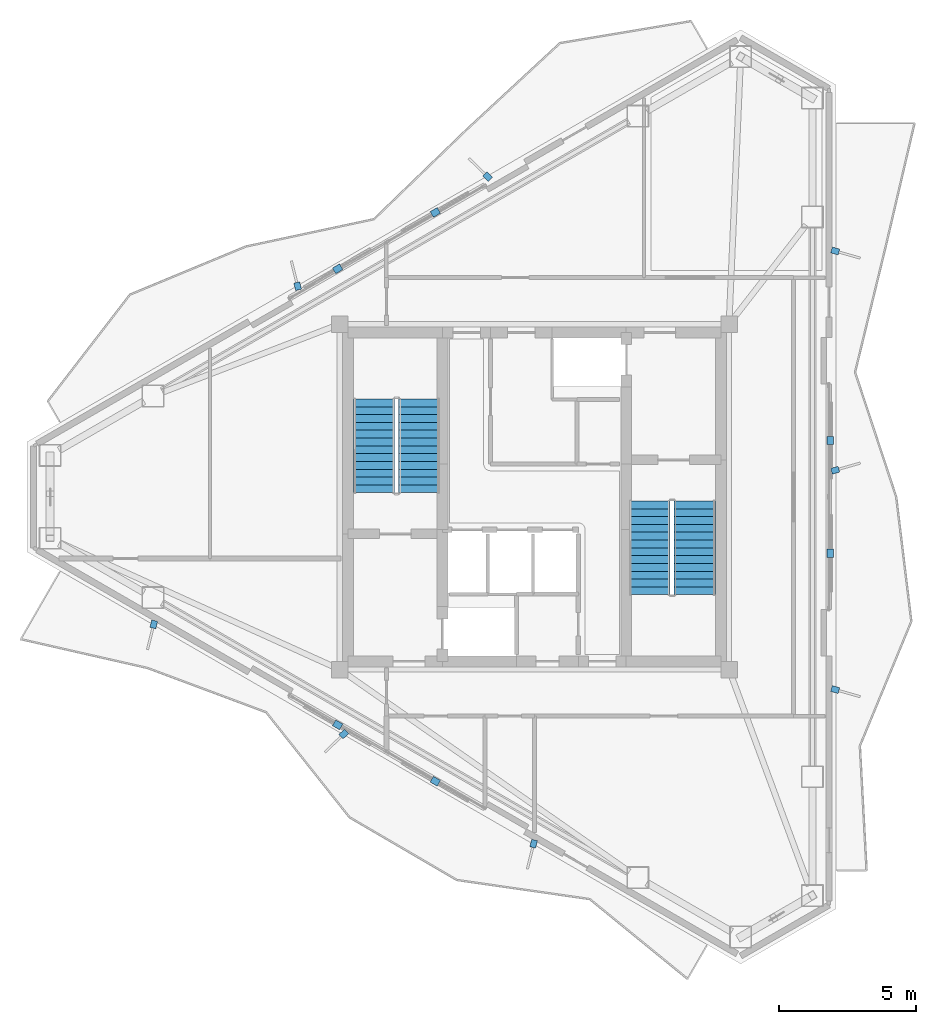
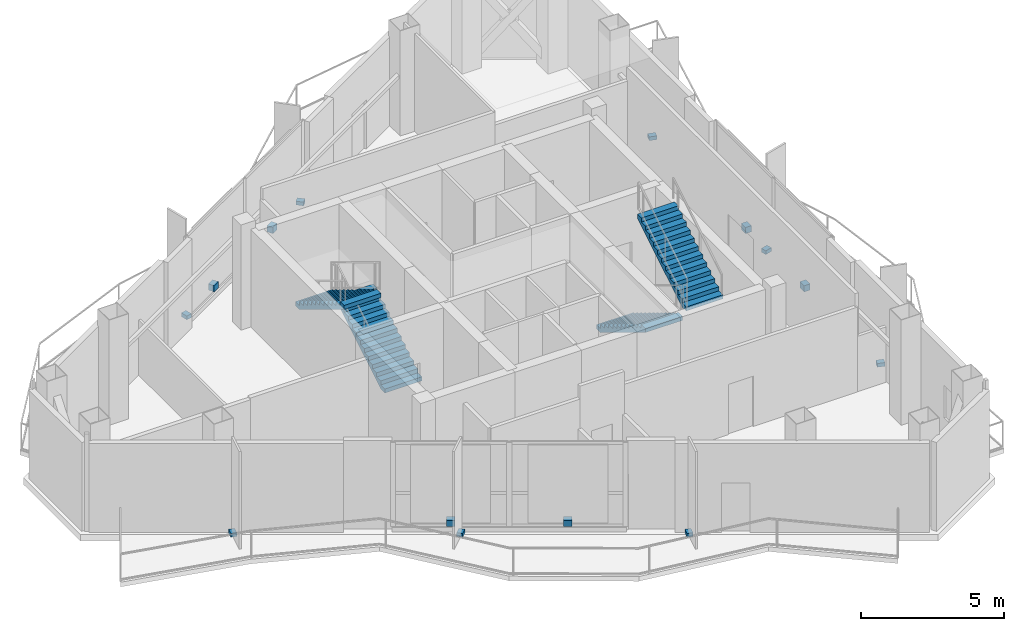
# One storey, part 12 of 14: 14 discrete accessories, 4 stair flights, 2 elements without a shape of their own.
"""IFC4 building model written with IfcOpenShell, lengths in metres."""

import ifcopenshell
import ifcopenshell.guid

model = None  # the IFC model being written
_history = None  # IfcOwnerHistory: only IFC2X3 demands one
_inside = {}  # id of a spatial element -> (the spatial element, [elements in it])
_under = {}  # id of a project, library or spatial element -> (it, [spatial elements below it])
_declared = {}  # id of a project -> (the project, [libraries it declares])
_typed = {}  # id of a type object -> (the type object, [elements of that type])
_made_of = {}  # id of a material, layer set ... -> (it, [elements and type objects made of it])


def new_model(schema):
    """Start an empty IFC model of exactly this schema.

    Asked for "IFC4X3", IfcOpenShell would pick the latest addendum, in which some entities
    have other attributes; the version numbers below select the first issue.
    IFC2X3 requires an IfcOwnerHistory on every rooted entity: one is made here for all.
    """
    global model, _history
    if schema == "IFC4X3":
        model = ifcopenshell.file(schema_version=(4, 3, 0, 0))
    else:
        model = ifcopenshell.file(schema=schema)
    _inside.clear()
    _under.clear()
    _declared.clear()
    _typed.clear()
    _made_of.clear()
    _history = None
    if model.schema == "IFC2X3":
        org = make("IfcOrganization", Name="unknown")
        user = make(
            "IfcPersonAndOrganization",
            ThePerson=make("IfcPerson", FamilyName="unknown"),
            TheOrganization=org,
        )
        app = make(
            "IfcApplication",
            ApplicationDeveloper=org,
            Version="unknown",
            ApplicationFullName="unknown",
            ApplicationIdentifier="unknown",
        )
        _history = make(
            "IfcOwnerHistory",
            OwningUser=user,
            OwningApplication=app,
            ChangeAction="ADDED",
            CreationDate=0,
        )
    return model


def make(cls, **values):
    """One entity of the class cls with the attributes given. An attribute that is None is left unset."""
    return model.create_entity(
        cls, **{name: value for name, value in values.items() if value is not None}
    )


def rooted(cls, **values):
    """An entity with a GlobalId (a new one), such as an element, a storey or a relation."""
    return make(cls, GlobalId=ifcopenshell.guid.new(), OwnerHistory=_history, **values)


def si_unit(unit_type, name, prefix=None):
    """IfcSIUnit, for example si_unit("LENGTHUNIT", "METRE", prefix="MILLI")."""
    return make("IfcSIUnit", UnitType=unit_type, Prefix=prefix, Name=name)


def assignment(units):
    """IfcUnitAssignment: the units of a project."""
    return None if units is None else make("IfcUnitAssignment", Units=units)


def point(xyz):
    """IfcCartesianPoint."""
    return None if xyz is None else make("IfcCartesianPoint", Coordinates=xyz)


def direction(xyz):
    """IfcDirection."""
    return None if xyz is None else make("IfcDirection", DirectionRatios=xyz)


def frame(location, z_axis=None, x_axis=None):
    """IfcAxis2Placement3D, a coordinate frame: its origin and axes. An axis left out is left unset."""
    return make(
        "IfcAxis2Placement3D",
        Location=point(location),
        Axis=direction(z_axis),
        RefDirection=direction(x_axis),
    )


def frame_2d(location, x_axis=None):
    """IfcAxis2Placement2D, a coordinate frame in the plane: its origin and x axis."""
    return make(
        "IfcAxis2Placement2D", Location=point(location), RefDirection=direction(x_axis)
    )


def origin():
    """The frame at (0, 0, 0) with its axes left unset."""
    return frame((0.0, 0.0, 0.0))


def origin_2d():
    """The frame at (0, 0) in the plane with its x axis left unset."""
    return frame_2d((0.0, 0.0))


def place(relative_to, where):
    """IfcLocalPlacement: puts the frame where relative to a parent placement (None: the world)."""
    return make(
        "IfcLocalPlacement", PlacementRelTo=relative_to, RelativePlacement=where
    )


def context(
    kind, dimensions, precision=None, world=None, true_north=None, identifier=None
):
    """IfcGeometricRepresentationContext, for example the 3D "Model" context."""
    return make(
        "IfcGeometricRepresentationContext",
        ContextIdentifier=identifier,
        ContextType=kind,
        CoordinateSpaceDimension=dimensions,
        Precision=precision,
        WorldCoordinateSystem=world,
        TrueNorth=true_north,
    )


def subcontext(parent, identifier, kind, view, scale=None):
    """IfcGeometricRepresentationSubContext, for example "Body" below "Model"."""
    return make(
        "IfcGeometricRepresentationSubContext",
        ContextIdentifier=identifier,
        ContextType=kind,
        ParentContext=parent,
        TargetScale=scale,
        TargetView=view,
    )


def project(units=None, contexts=None):
    """IfcProject with its units and contexts."""
    return rooted(
        "IfcProject",
        Name="project",
        RepresentationContexts=contexts,
        UnitsInContext=assignment(units),
    )


def spatial(cls, under=None, at=None, **own):
    """A site, building, storey or space (cls), placed at a placement, below another one or the project."""
    s = rooted(cls, ObjectPlacement=at, **own)
    if under is not None:
        _under.setdefault(under.id(), (under, []))[1].append(s)
    return s


def polyline(points):
    """IfcPolyline through the points."""
    return make("IfcPolyline", Points=[point(p) for p in points])


def profile(cls, at=None, kind="AREA", **sizes):
    """A parametric profile (cls). Its sizes go by their IFC names, for example OverallWidth=200.0."""
    return make(cls, ProfileType=kind, Position=at, **sizes)


def rectangle(**sizes):
    """IfcRectangleProfileDef."""
    return profile("IfcRectangleProfileDef", **sizes)


def outline(outer, holes=None, kind="AREA"):
    """IfcArbitraryClosedProfileDef: a profile drawn as a closed curve; with holes, ...WithVoids."""
    if holes is None:
        return make("IfcArbitraryClosedProfileDef", ProfileType=kind, OuterCurve=outer)
    return make(
        "IfcArbitraryProfileDefWithVoids",
        ProfileType=kind,
        OuterCurve=outer,
        InnerCurves=holes,
    )


def extrude(swept, where, along, depth):
    """IfcExtrudedAreaSolid: the profile swept, set in the frame where, extruded along a direction by depth."""
    return make(
        "IfcExtrudedAreaSolid",
        SweptArea=swept,
        Position=where,
        ExtrudedDirection=direction(along),
        Depth=depth,
    )


def shape(context_of_items, identifier, shape_type, items):
    """IfcShapeRepresentation: the items that make up one representation, for example the "Body"."""
    return make(
        "IfcShapeRepresentation",
        ContextOfItems=context_of_items,
        RepresentationIdentifier=identifier,
        RepresentationType=shape_type,
        Items=items,
    )


def material(Name=None, Category=None):
    """IfcMaterial."""
    return make("IfcMaterial", Name=Name, Category=Category)


def layer(
    of_material, thickness, ventilated=None, Name=None, Category=None, Priority=None
):
    """IfcMaterialLayer: one layer of a wall or slab, of a material (None: an air gap)."""
    return make(
        "IfcMaterialLayer",
        Material=of_material,
        LayerThickness=thickness,
        IsVentilated=ventilated,
        Name=Name,
        Category=Category,
        Priority=Priority,
    )


def layer_set(layers, Name=None):
    """IfcMaterialLayerSet."""
    return make("IfcMaterialLayerSet", MaterialLayers=layers, LayerSetName=Name)


def made_of(thing, what):
    """Note that an element or type object is made of a material, layer set ...; save() writes the relation."""
    if what is not None:
        _made_of.setdefault(what.id(), (what, []))[1].append(thing)
    return thing


def type_object(cls, material=None, **own):
    """A type object (cls), such as IfcWallType, which elements share."""
    return made_of(rooted(cls, **own), material)


def element(
    cls,
    number,
    at=None,
    inside=None,
    cuts=None,
    type_object=None,
    material=None,
    context=None,
    identifier="Body",
    shape_type=None,
    held_by="IfcProductDefinitionShape",
    body=None,
    shapes=None,
    **own,
):
    """One element of the class cls, such as IfcWall. Its Tag is "e" and its number.

    at: its placement. inside: the storey or other place that contains it. cuts: it is an
    opening in that element (IfcRelVoidsElement). A single representation is given by context,
    identifier, shape_type and body (its items); several are given by shapes. held_by: the class
    of the entity that holds the representations. save() writes the other relations.
    """
    e = rooted(cls, Tag="e%d" % number, ObjectPlacement=at, **own)
    if body is not None:
        shapes = [shape(context, identifier, shape_type, body)]
    if shapes is not None:
        e.Representation = make(held_by, Representations=shapes)
    if inside is not None:
        _inside.setdefault(inside.id(), (inside, []))[1].append(e)
    if cuts is not None:
        rooted(
            "IfcRelVoidsElement", RelatingBuildingElement=cuts, RelatedOpeningElement=e
        )
    if type_object is not None:
        _typed.setdefault(type_object.id(), (type_object, []))[1].append(e)
    return made_of(e, material)


def aggregate(whole, parts):
    """IfcRelAggregates: a whole, such as a stair, and the parts it consists of."""
    return rooted("IfcRelAggregates", RelatingObject=whole, RelatedObjects=parts)


def save(model, path):
    """Write the relations noted so far, then the file.

    IfcRelAggregates (storeys below a building ...), IfcRelContainedInSpatialStructure (elements
    in a storey), IfcRelDefinesByType, IfcRelAssociatesMaterial and IfcRelDeclares: one each for
    every whole, place, type object, material and project.
    """
    for whole, parts in _under.values():
        aggregate(whole, parts)
    for where, things in _inside.values():
        rooted(
            "IfcRelContainedInSpatialStructure",
            RelatedElements=things,
            RelatingStructure=where,
        )
    for kind, things in _typed.values():
        rooted("IfcRelDefinesByType", RelatedObjects=things, RelatingType=kind)
    for what, things in _made_of.values():
        rooted("IfcRelAssociatesMaterial", RelatedObjects=things, RelatingMaterial=what)
    for by, libraries in _declared.values():
        rooted("IfcRelDeclares", RelatingContext=by, RelatedDefinitions=libraries)
    model.write(path)


model = new_model("IFC4")

# Units and contexts
model_context = context("Model", 3, precision=1e-05, world=origin(), true_north=direction((0.0, 1.0)))
body_context = subcontext(model_context, "Body", "Model", "MODEL_VIEW")
ifc_project = project(units=[si_unit("LENGTHUNIT", "METRE"), si_unit("AREAUNIT", "SQUARE_METRE"), si_unit("VOLUMEUNIT", "CUBIC_METRE"), si_unit("PLANEANGLEUNIT", "RADIAN"), si_unit("MASSUNIT", "GRAM", prefix="KILO")], contexts=[model_context])

# Site, building, storey
site_placement = place(None, origin())
site = spatial("IfcSite", under=ifc_project, at=site_placement, CompositionType="ELEMENT")
building_placement = place(site_placement, origin())
building = spatial("IfcBuilding", under=site, at=building_placement, Name="Mersakhor Tower and Convention Hall", CompositionType="ELEMENT")
storey_placement = place(building_placement, frame((0.0, 0.0, 254.10009765625)))
storey = spatial("IfcBuildingStorey", under=building, at=storey_placement, Name="L71", CompositionType="ELEMENT", Elevation=254.10009765625)

# Stair, stair flights
ifc_material_1 = material(Name="Concrete C45/55", Category="concrete")
stair_type = type_object("IfcStairType", Name="ST-TWR-26R", PredefinedType="HALF_TURN_STAIR", material=ifc_material_1)
stair_1_placement = place(storey_placement, origin())
stair_1 = element("IfcStair", 1, at=stair_1_placement, inside=storey, type_object=stair_type, Name="L71 Tower Protected Exit Stair ST-1", PredefinedType="HALF_TURN_STAIR")
ifc_material_2 = material(Name="Concrete C45/55", Category="concrete")
stair_flight_type = type_object("IfcStairFlightType", Name="SFL-TWR-26R", PredefinedType="STRAIGHT", material=ifc_material_2)
stair_flight_1_placement = place(storey_placement, frame((24.800048828125, 26.89990234375, 0.0), z_axis=(0.0, 0.0, 1.0), x_axis=(0.0, 1.0, 0.0)))
stair_flight_1 = element("IfcStairFlight", 2, at=stair_flight_1_placement, type_object=stair_flight_type, Name="ST-1 flight 1", NumberOfRisers=13, NumberOfTreads=12, PredefinedType="STRAIGHT", RiserHeight=0.173076923, TreadLength=0.285, context=body_context, shape_type="SweptSolid", body=[
    extrude(outline(polyline([(0.0, 0.0), (0.0, 0.173095703125), (0.284912109375, 0.173095703125), (0.284912109375, 0.34619140625), (0.570068359375, 0.34619140625), (0.570068359375, 0.519287109375), (0.85498046875, 0.519287109375), (0.85498046875, 0.6923828125), (1.139892578125, 0.6923828125), (1.139892578125, 0.865478515625), (1.425048828125, 0.865478515625), (1.425048828125, 1.03857421875), (1.7099609375, 1.03857421875), (1.7099609375, 1.21142578125), (1.9951171875, 1.21142578125), (1.9951171875, 1.384521484375), (2.280029296875, 1.384521484375), (2.280029296875, 1.5576171875), (2.56494140625, 1.5576171875), (2.56494140625, 1.730712890625), (2.85009765625, 1.730712890625), (2.85009765625, 1.90380859375), (3.135009765625, 1.90380859375), (3.135009765625, 2.076904296875), (3.419921875, 2.076904296875), (3.419921875, 2.25), (3.419921875, 1.901611328125), (0.288818359375, 0.0), (0.0, 0.0)])), frame((0.0, 0.75, 0.0), z_axis=(0.0, -1.0, 0.0), x_axis=(1.0, 0.0, 0.0)), (0.0, 0.0, 1.0), 1.5),
])
stair_flight_2_placement = place(storey_placement, frame((23.14990234375, 30.320068359375, 2.25), z_axis=(0.0, 0.0, 1.0), x_axis=(0.0, -1.0, 0.0)))
stair_flight_2 = element("IfcStairFlight", 3, at=stair_flight_2_placement, type_object=stair_flight_type, Name="ST-1 flight 2", NumberOfRisers=13, NumberOfTreads=12, PredefinedType="STRAIGHT", RiserHeight=0.173076923, TreadLength=0.285, context=body_context, shape_type="SweptSolid", body=[
    extrude(outline(polyline([(0.0, 0.0), (0.0, 0.173095703125), (0.284912109375, 0.173095703125), (0.284912109375, 0.34619140625), (0.570068359375, 0.34619140625), (0.570068359375, 0.519287109375), (0.85498046875, 0.519287109375), (0.85498046875, 0.6923828125), (1.139892578125, 0.6923828125), (1.139892578125, 0.865478515625), (1.425048828125, 0.865478515625), (1.425048828125, 1.03857421875), (1.7099609375, 1.03857421875), (1.7099609375, 1.21142578125), (1.9951171875, 1.21142578125), (1.9951171875, 1.384521484375), (2.280029296875, 1.384521484375), (2.280029296875, 1.5576171875), (2.56494140625, 1.5576171875), (2.56494140625, 1.730712890625), (2.85009765625, 1.730712890625), (2.85009765625, 1.90380859375), (3.135009765625, 1.90380859375), (3.135009765625, 2.076904296875), (3.419921875, 2.076904296875), (3.419921875, 2.25), (3.419921875, 1.901611328125), (0.288818359375, 0.0), (0.0, 0.0)])), frame((0.0, 0.75, 0.0), z_axis=(0.0, -1.0, 0.0), x_axis=(1.0, 0.0, 0.0)), (0.0, 0.0, 1.0), 1.5),
])
aggregate(stair_1, [stair_flight_1, stair_flight_2])

stair_2_placement = place(storey_placement, origin())
stair_2 = element("IfcStair", 4, at=stair_2_placement, inside=storey, type_object=stair_type, Name="L71 Tower Protected Exit Stair ST-2", PredefinedType="HALF_TURN_STAIR")
stair_flight_3_placement = place(storey_placement, frame((33.199951171875, 26.60009765625, 0.0), z_axis=(0.0, 0.0, 1.0), x_axis=(0.0, -1.0, 0.0)))
stair_flight_3 = element("IfcStairFlight", 5, at=stair_flight_3_placement, type_object=stair_flight_type, Name="ST-2 flight 1", NumberOfRisers=13, NumberOfTreads=12, PredefinedType="STRAIGHT", RiserHeight=0.173076923, TreadLength=0.285, context=body_context, shape_type="SweptSolid", body=[
    extrude(outline(polyline([(0.0, 0.0), (0.0, 0.173095703125), (0.284912109375, 0.173095703125), (0.284912109375, 0.34619140625), (0.570068359375, 0.34619140625), (0.570068359375, 0.519287109375), (0.85498046875, 0.519287109375), (0.85498046875, 0.6923828125), (1.139892578125, 0.6923828125), (1.139892578125, 0.865478515625), (1.425048828125, 0.865478515625), (1.425048828125, 1.03857421875), (1.7099609375, 1.03857421875), (1.7099609375, 1.21142578125), (1.9951171875, 1.21142578125), (1.9951171875, 1.384521484375), (2.280029296875, 1.384521484375), (2.280029296875, 1.5576171875), (2.56494140625, 1.5576171875), (2.56494140625, 1.730712890625), (2.85009765625, 1.730712890625), (2.85009765625, 1.90380859375), (3.135009765625, 1.90380859375), (3.135009765625, 2.076904296875), (3.419921875, 2.076904296875), (3.419921875, 2.25), (3.419921875, 1.901611328125), (0.288818359375, 0.0), (0.0, 0.0)])), frame((0.0, 0.75, 0.0), z_axis=(0.0, -1.0, 0.0), x_axis=(1.0, 0.0, 0.0)), (0.0, 0.0, 1.0), 1.5),
])
stair_flight_4_placement = place(storey_placement, frame((34.85009765625, 23.179931640625, 2.25), z_axis=(0.0, 0.0, 1.0), x_axis=(0.0, 1.0, 0.0)))
stair_flight_4 = element("IfcStairFlight", 6, at=stair_flight_4_placement, type_object=stair_flight_type, Name="ST-2 flight 2", NumberOfRisers=13, NumberOfTreads=12, PredefinedType="STRAIGHT", RiserHeight=0.173076923, TreadLength=0.285, context=body_context, shape_type="SweptSolid", body=[
    extrude(outline(polyline([(0.0, 0.0), (0.0, 0.173095703125), (0.284912109375, 0.173095703125), (0.284912109375, 0.34619140625), (0.570068359375, 0.34619140625), (0.570068359375, 0.519287109375), (0.85498046875, 0.519287109375), (0.85498046875, 0.6923828125), (1.139892578125, 0.6923828125), (1.139892578125, 0.865478515625), (1.425048828125, 0.865478515625), (1.425048828125, 1.03857421875), (1.7099609375, 1.03857421875), (1.7099609375, 1.21142578125), (1.9951171875, 1.21142578125), (1.9951171875, 1.384521484375), (2.280029296875, 1.384521484375), (2.280029296875, 1.5576171875), (2.56494140625, 1.5576171875), (2.56494140625, 1.730712890625), (2.85009765625, 1.730712890625), (2.85009765625, 1.90380859375), (3.135009765625, 1.90380859375), (3.135009765625, 2.076904296875), (3.419921875, 2.076904296875), (3.419921875, 2.25), (3.419921875, 1.901611328125), (0.288818359375, 0.0), (0.0, 0.0)])), frame((0.0, 0.75, 0.0), z_axis=(0.0, -1.0, 0.0), x_axis=(1.0, 0.0, 0.0)), (0.0, 0.0, 1.0), 1.5),
])
aggregate(stair_2, [stair_flight_3, stair_flight_4])

# Discrete accessories
ifc_material_3 = material(Name="Galvanised steel bracket", Category="steel")
ifc_layer = layer(ifc_material_3, 0.02001953125)
ifc_layer_set = layer_set([ifc_layer], Name="Galvanised steel bracket")
discrete_accessory_type = type_object("IfcDiscreteAccessoryType", Name="ACC-BRK-STL", PredefinedType="BRACKET", material=ifc_layer_set)
for number, where, z_axis, x_axis, name in (
    (7, (21.822265625, 35.068359375, 0.2900390625), (0.0, 0.0, 1.0), (0.866025403784, 0.5, 0.0), "L71 Solar Screen Outrigger Bracket BRK-1-1"),
    (8, (25.385009765625, 37.125244140625, 0.2900390625), (0.0, 0.0, 1.0), (0.866025403784, 0.5, 0.0), "L71 Solar Screen Outrigger Bracket BRK-1-2"),
):
    element("IfcDiscreteAccessory", number, at=place(storey_placement, frame(where, z_axis=z_axis, x_axis=x_axis)), inside=storey, type_object=discrete_accessory_type, Name=name, PredefinedType="BRACKET", context=body_context, shape_type="SweptSolid", body=[
        extrude(rectangle(XDim=0.300048828125, YDim=0.239990234375, at=origin_2d()), origin(), (0.0, 0.0, 1.0), 0.260009765625),
    ])
for number, where, z_axis, x_axis, name in (
    (9, (20.36474609375, 34.434814453125, -0.02001953125), (0.0, 0.0, 1.0), (-0.2419218956, 0.970295726276, 0.0), "L71 Facade Fin Base Cleat Bracket FBRK-1-1"),
    (10, (27.29296875, 38.434814453125, -0.02001953125), (0.0, 0.0, 1.0), (-0.719339800339, 0.694658370459, 0.0), "L71 Facade Fin Base Cleat Bracket FBRK-1-2"),
):
    element("IfcDiscreteAccessory", number, at=place(storey_placement, frame(where, z_axis=z_axis, x_axis=x_axis)), inside=storey, type_object=discrete_accessory_type, Name=name, PredefinedType="BRACKET", context=body_context, shape_type="SweptSolid", body=[
        extrude(rectangle(XDim=0.280029296875, YDim=0.219970703125, at=origin_2d()), origin(), (0.0, 0.0, 1.0), 0.159912109375),
    ])
for number, where, z_axis, x_axis, name in (
    (11, (39.792724609375, 28.806884765625, 0.2900390625), (0.0, 0.0, 1.0), (0.0, -1.0, 0.0), "L71 Solar Screen Outrigger Bracket BRK-2-1"),
    (12, (39.792724609375, 24.693115234375, 0.2900390625), (0.0, 0.0, 1.0), (0.0, -1.0, 0.0), "L71 Solar Screen Outrigger Bracket BRK-2-2"),
):
    element("IfcDiscreteAccessory", number, at=place(storey_placement, frame(where, z_axis=z_axis, x_axis=x_axis)), inside=storey, type_object=discrete_accessory_type, Name=name, PredefinedType="BRACKET", context=body_context, shape_type="SweptSolid", body=[
        extrude(rectangle(XDim=0.300048828125, YDim=0.239990234375, at=origin_2d()), origin(), (0.0, 0.0, 1.0), 0.260009765625),
    ])
for number, where, z_axis, x_axis, name in (
    (13, (39.972900390625, 35.719482421875, -0.02001953125), (0.0, 0.0, 1.0), (0.961261695938, -0.275637355817, 0.0), "L71 Facade Fin Base Cleat Bracket FBRK-2-1"),
    (14, (39.972900390625, 27.719482421875, -0.02001953125), (0.0, 0.0, 1.0), (0.961261695938, 0.275637355817, 0.0), "L71 Facade Fin Base Cleat Bracket FBRK-2-2"),
    (15, (39.972900390625, 19.719482421875, -0.02001953125), (0.0, 0.0, 1.0), (0.961261695938, -0.275637355817, 0.0), "L71 Facade Fin Base Cleat Bracket FBRK-2-3"),
):
    element("IfcDiscreteAccessory", number, at=place(storey_placement, frame(where, z_axis=z_axis, x_axis=x_axis)), inside=storey, type_object=discrete_accessory_type, Name=name, PredefinedType="BRACKET", context=body_context, shape_type="SweptSolid", body=[
        extrude(rectangle(XDim=0.280029296875, YDim=0.219970703125, at=origin_2d()), origin(), (0.0, 0.0, 1.0), 0.159912109375),
    ])
for number, where, z_axis, x_axis, name in (
    (16, (25.385009765625, 16.374755859375, 0.2900390625), (0.0, 0.0, 1.0), (-0.866025403784, 0.5, 0.0), "L71 Solar Screen Outrigger Bracket BRK-3-1"),
    (17, (21.822265625, 18.431640625, 0.2900390625), (0.0, 0.0, 1.0), (-0.866025403784, 0.5, 0.0), "L71 Solar Screen Outrigger Bracket BRK-3-2"),
):
    element("IfcDiscreteAccessory", number, at=place(storey_placement, frame(where, z_axis=z_axis, x_axis=x_axis)), inside=storey, type_object=discrete_accessory_type, Name=name, PredefinedType="BRACKET", context=body_context, shape_type="SweptSolid", body=[
        extrude(rectangle(XDim=0.300048828125, YDim=0.239990234375, at=origin_2d()), origin(), (0.0, 0.0, 1.0), 0.260009765625),
    ])
for number, where, z_axis, x_axis, name in (
    (18, (28.971923828125, 14.095947265625, -0.02001953125), (0.0, 0.0, 1.0), (-0.2419218956, -0.970295726276, 0.0), "L71 Facade Fin Base Cleat Bracket FBRK-3-1"),
    (19, (22.043701171875, 18.095947265625, -0.02001953125), (0.0, 0.0, 1.0), (-0.719339800339, -0.694658370459, 0.0), "L71 Facade Fin Base Cleat Bracket FBRK-3-2"),
    (20, (15.115478515625, 22.095947265625, -0.02001953125), (0.0, 0.0, 1.0), (-0.2419218956, -0.970295726276, 0.0), "L71 Facade Fin Base Cleat Bracket FBRK-3-3"),
):
    element("IfcDiscreteAccessory", number, at=place(storey_placement, frame(where, z_axis=z_axis, x_axis=x_axis)), inside=storey, type_object=discrete_accessory_type, Name=name, PredefinedType="BRACKET", context=body_context, shape_type="SweptSolid", body=[
        extrude(rectangle(XDim=0.280029296875, YDim=0.219970703125, at=origin_2d()), origin(), (0.0, 0.0, 1.0), 0.159912109375),
    ])

save(model, "model.ifc")
